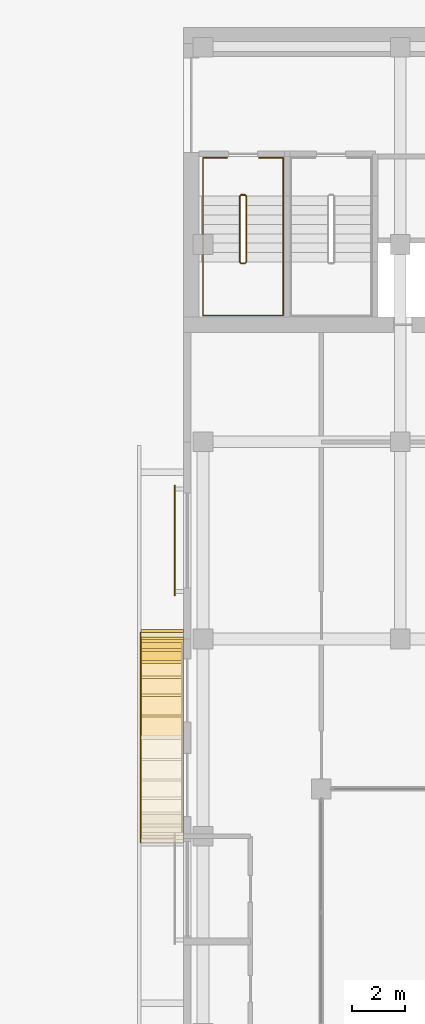
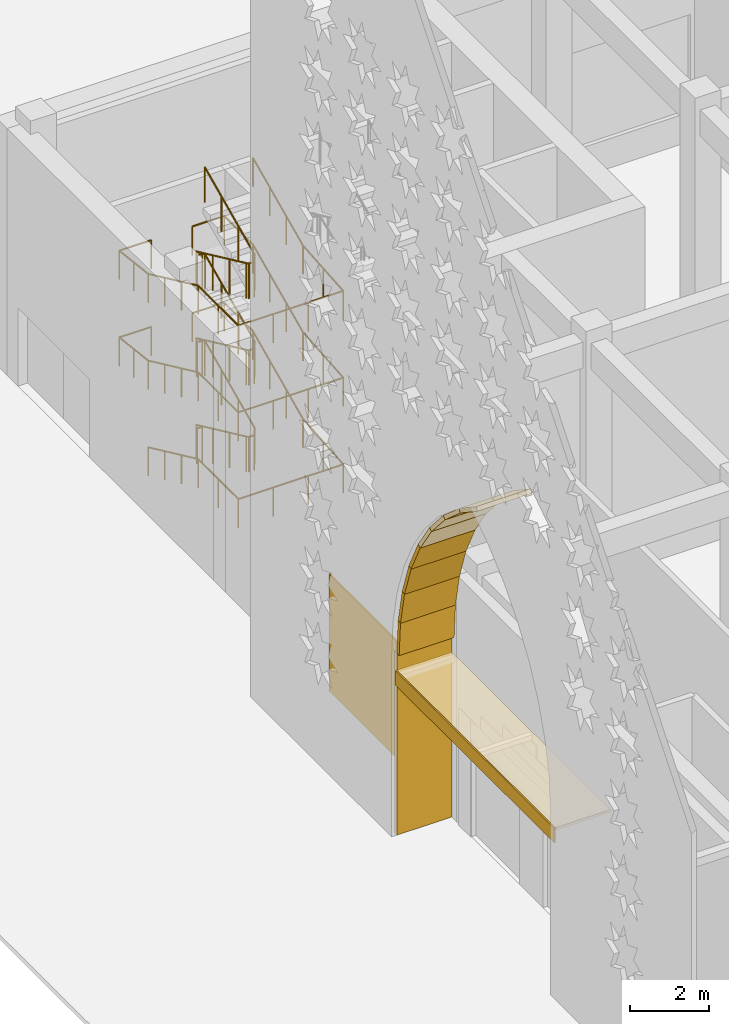
# One storey, part 56 of 64: 12 coverings, 4 railings.
"""IFC4 building model written with IfcOpenShell, lengths in metres."""

from ifc_helpers import new_model, si_unit, direction, frame, origin, origin_2d, place, context, subcontext, project, spatial, polyline, rectangle, circle, outline, extrude, material, layer, layer_set, type_object, element, save


model = new_model("IFC4")

# Units and contexts
model_context = context("Model", 3, precision=1e-05, world=origin(), true_north=direction((0.0, 1.0)))
body_context = subcontext(model_context, "Body", "Model", "MODEL_VIEW")
ifc_project = project(units=[si_unit("LENGTHUNIT", "METRE"), si_unit("AREAUNIT", "SQUARE_METRE"), si_unit("VOLUMEUNIT", "CUBIC_METRE"), si_unit("PLANEANGLEUNIT", "RADIAN"), si_unit("MASSUNIT", "GRAM", prefix="KILO")], contexts=[model_context])

# Site, building, storey
site_placement = place(None, origin())
site = spatial("IfcSite", under=ifc_project, at=site_placement, CompositionType="ELEMENT")
building_placement = place(site_placement, origin())
building = spatial("IfcBuilding", under=site, at=building_placement, Name="Tessera Arch", CompositionType="ELEMENT")
storey_placement = place(building_placement, origin())
storey = spatial("IfcBuildingStorey", under=building, at=storey_placement, Name="L00", CompositionType="ELEMENT", Elevation=0.0)

# Coverings
ifc_material_1 = material(Name="Aluminium cladding pale metal anodised", Category="aluminium")
ifc_layer_1 = layer(ifc_material_1, 0.0400390625)
ifc_layer_set_1 = layer_set([ifc_layer_1], Name="Canopy fascia pale metal")
covering_type_1 = type_object("IfcCoveringType", Name="Canopy fascia pale metal", PredefinedType="CLADDING", material=ifc_layer_set_1)
covering_1_placement = place(storey_placement, frame((-34.169921875, 31.949951171875, 4.6298828125), z_axis=(0.0, 0.0, 1.0), x_axis=(1.0, 0.0, 0.0)))
element("IfcCovering", 1, at=covering_1_placement, inside=storey, type_object=covering_type_1, Name="Museum entrance canopy fascia", PredefinedType="CLADDING", context=body_context, shape_type="SweptSolid", body=[
    extrude(rectangle(XDim=0.0400390625, YDim=8.0, at=origin_2d()), origin(), (0.0, 0.0, 1.0), 0.449951171875),
])
ifc_material_2 = material(Name="Aluminium cladding pale metal anodised", Category="aluminium")
ifc_layer_2 = layer(ifc_material_2, 0.080078125)
ifc_layer_set_2 = layer_set([ifc_layer_2], Name="Canopy panel pale metal")
covering_type_2 = type_object("IfcCoveringType", Name="Canopy panel pale metal", PredefinedType="CLADDING", material=ifc_layer_set_2)
covering_2_placement = place(storey_placement, frame((-33.35009765625, 31.949951171875, 5.0), z_axis=(0.0, 0.0, 1.0), x_axis=(1.0, 0.0, 0.0)))
element("IfcCovering", 2, at=covering_2_placement, inside=storey, type_object=covering_type_2, Name="Museum entrance canopy panel", PredefinedType="CLADDING", context=body_context, shape_type="SweptSolid", body=[
    extrude(rectangle(XDim=1.60009765625, YDim=8.0, at=origin_2d()), origin(), (0.0, 0.0, 1.0), 0.080078125),
])
ifc_material_3 = material(Name="Anodised aluminium pale metal", Category="aluminium")
ifc_layer_3 = layer(ifc_material_3, 0.1201171875)
ifc_layer_set_3 = layer_set([ifc_layer_3], Name="Museum iwan reveal plate")
covering_type_3 = type_object("IfcCoveringType", Name="Museum iwan reveal plate", PredefinedType="CLADDING", material=ifc_layer_set_3)
covering_3_placement = place(storey_placement, frame((-32.550048828125, 35.949951171875, 0.0), z_axis=(0.0, -1.0, 0.0), x_axis=(0.0, 0.0, 1.0)))
element("IfcCovering", 3, at=covering_3_placement, inside=storey, type_object=covering_type_3, Name="Museum entrance iwan reveal 1", PredefinedType="CLADDING", context=body_context, shape_type="SweptSolid", body=[
    extrude(outline(polyline([(0.0, 0.0), (5.60009765625, 0.0), (5.60009765625, 1.599853515625), (0.0, 1.599853515625), (0.0, 0.0)])), origin(), (0.0, 0.0, -1.0), 0.1201171875),
])
covering_4_placement = place(storey_placement, frame((-32.550048828125, 35.949951171875, 5.60009765625), z_axis=(0.0, 0.997863935765, 0.065326607906), x_axis=(0.0, -0.065326607906, 0.997863935765)))
element("IfcCovering", 4, at=covering_4_placement, inside=storey, type_object=covering_type_3, Name="Museum entrance iwan reveal 2", PredefinedType="CLADDING", context=body_context, shape_type="SweptSolid", body=[
    extrude(outline(polyline([(0.0, 0.0), (1.0464246834664583, 0.0), (1.0464246834664583, -1.599853515625), (0.0, -1.599853515625), (0.0, 0.0)])), origin(), (0.0, 0.0, -1.0), 0.1201171875),
])
covering_5_placement = place(storey_placement, frame((-32.550048828125, 35.881591796875, 6.644287109375), z_axis=(0.0, 0.980795438829, 0.19503924521), x_axis=(0.0, -0.19503924521, 0.980795438829)))
element("IfcCovering", 5, at=covering_5_placement, inside=storey, type_object=covering_type_3, Name="Museum entrance iwan reveal 3", PredefinedType="CLADDING", context=body_context, shape_type="SweptSolid", body=[
    extrude(outline(polyline([(0.0, 0.0), (1.0464640707600052, 0.0), (1.0464640707600052, -1.599853515625), (0.0, -1.599853515625), (0.0, 0.0)])), origin(), (0.0, 0.0, -1.0), 0.1201171875),
])
covering_6_placement = place(storey_placement, frame((-32.550048828125, 35.677490234375, 7.670654296875), z_axis=(0.0, 0.946919111012, 0.321471922881), x_axis=(0.0, -0.321471922881, 0.946919111012)))
element("IfcCovering", 6, at=covering_6_placement, inside=storey, type_object=covering_type_3, Name="Museum entrance iwan reveal 4", PredefinedType="CLADDING", context=body_context, shape_type="SweptSolid", body=[
    extrude(outline(polyline([(0.0, 0.0), (1.0465168411441694, 0.0), (1.0465168411441694, -1.599853515625), (0.0, -1.599853515625), (0.0, 0.0)])), origin(), (0.0, 0.0, -1.0), 0.1201171875),
])
covering_7_placement = place(storey_placement, frame((-32.550048828125, 35.341064453125, 8.66162109375), z_axis=(0.0, 0.896840441418, 0.442354182344), x_axis=(0.0, -0.442354182344, 0.896840441418)))
element("IfcCovering", 7, at=covering_7_placement, inside=storey, type_object=covering_type_3, Name="Museum entrance iwan reveal 5", PredefinedType="CLADDING", context=body_context, shape_type="SweptSolid", body=[
    extrude(outline(polyline([(0.0, 0.0), (1.046425338509493, 0.0), (1.046425338509493, -1.599853515625), (0.0, -1.599853515625), (0.0, 0.0)])), origin(), (0.0, 0.0, -1.0), 0.1201171875),
])
covering_8_placement = place(storey_placement, frame((-32.550048828125, 34.878173828125, 9.60009765625), z_axis=(0.0, 0.831511498164, 0.555507541282), x_axis=(0.0, -0.555507541282, 0.831511498164)))
element("IfcCovering", 8, at=covering_8_placement, inside=storey, type_object=covering_type_3, Name="Museum entrance iwan reveal 6", PredefinedType="CLADDING", context=body_context, shape_type="SweptSolid", body=[
    extrude(outline(polyline([(0.0, 0.0), (1.0464283289181389, 0.0), (1.0464283289181389, -1.599853515625), (0.0, -1.599853515625), (0.0, 0.0)])), origin(), (0.0, 0.0, -1.0), 0.1201171875),
])
covering_9_placement = place(storey_placement, frame((-32.550048828125, 34.296875, 10.47021484375), z_axis=(0.0, 0.751795639598, 0.659396175513), x_axis=(0.0, -0.659396175513, 0.751795639598)))
element("IfcCovering", 9, at=covering_9_placement, inside=storey, type_object=covering_type_3, Name="Museum entrance iwan reveal 7", PredefinedType="CLADDING", context=body_context, shape_type="SweptSolid", body=[
    extrude(outline(polyline([(0.0, 0.0), (1.0463230329065083, 0.0), (1.0463230329065083, -1.599853515625), (0.0, -1.599853515625), (0.0, 0.0)])), origin(), (0.0, 0.0, -1.0), 0.1201171875),
])
covering_10_placement = place(storey_placement, frame((-32.550048828125, 33.60693359375, 11.2568359375), z_axis=(0.0, 0.659280518064, 0.751897066427), x_axis=(0.0, -0.751897066427, 0.659280518064)))
element("IfcCovering", 10, at=covering_10_placement, inside=storey, type_object=covering_type_3, Name="Museum entrance iwan reveal 8", PredefinedType="CLADDING", context=body_context, shape_type="SweptSolid", body=[
    extrude(outline(polyline([(0.0, 0.0), (1.0465065891461225, 0.0), (1.0465065891461225, -1.599853515625), (0.0, -1.599853515625), (0.0, 0.0)])), origin(), (0.0, 0.0, -1.0), 0.1201171875),
])
covering_11_placement = place(storey_placement, frame((-32.550048828125, 32.820068359375, 11.94677734375), z_axis=(0.0, 0.555668822075, 0.831403728747), x_axis=(0.0, -0.831403728747, 0.555668822075)))
element("IfcCovering", 11, at=covering_11_placement, inside=storey, type_object=covering_type_3, Name="Museum entrance iwan reveal 9", PredefinedType="CLADDING", context=body_context, shape_type="SweptSolid", body=[
    extrude(outline(polyline([(0.0, 0.0), (1.0465639705653325, 0.0), (1.0465639705653325, -1.599853515625), (0.0, -1.599853515625), (0.0, 0.0)])), origin(), (0.0, 0.0, -1.0), 0.1201171875),
])
ifc_material_4 = material(Name="Anodised aluminium pale metal", Category="aluminium")
ifc_layer_4 = layer(ifc_material_4, 0.0400390625)
ifc_layer_set_4 = layer_set([ifc_layer_4], Name="Museum screen panel")
covering_type_4 = type_object("IfcCoveringType", Name="Museum screen panel", PredefinedType="CLADDING", material=ifc_layer_set_4)
covering_12_placement = place(storey_placement, frame((-32.8701171875, 39.449951171875, 0.599853515625), z_axis=(0.0, 0.0, 1.0), x_axis=(0.0, -1.0, 0.0)))
element("IfcCovering", 12, at=covering_12_placement, inside=storey, type_object=covering_type_4, Name="Screen panel museum L00 6-4", PredefinedType="CLADDING", context=body_context, shape_type="SweptSolid", body=[
    extrude(rectangle(XDim=4.199951171875, YDim=0.0400390625, at=origin_2d()), origin(), (0.0, 0.0, 1.0), 3.60009765625),
])

# Railings
ifc_material_5 = material(Name="Painted steel balustrade", Category="steel")
railing_type_1 = type_object("IfcRailingType", Name="Stair guard 1100", PredefinedType="GUARDRAIL", material=ifc_material_5)
railing_1_placement = place(storey_placement, frame((-30.35009765625, 52.60009765625, 0.0)))
element("IfcRailing", 13, at=railing_1_placement, inside=storey, type_object=railing_type_1, Name="L00 M1a stair guard 1", PredefinedType="GUARDRAIL", context=body_context, shape_type="SweptSolid", body=[
    extrude(circle(Radius=0.02392578125, at=origin_2d()), frame((-0.00390625, 0.0, 1.076171875), z_axis=(1.0, 0.0, 0.0), x_axis=(0.0, 1.0, 0.0)), (0.0, 0.0, 1.0), 0.158203125),
    extrude(circle(Radius=0.02392578125, at=origin_2d()), frame((0.153076171875, 0.000732421875, 1.073486328125), z_axis=(-0.754182335027, -0.188775798145, 0.628945707965), x_axis=(0.242814311512, -0.970072785993, 0.0)), (0.0, 0.0, 1.0), 0.273193359375),
    extrude(circle(Radius=0.02392578125, at=origin_2d()), frame((-0.0498046875, -0.04638671875, 1.2412109375), z_axis=(0.0, -0.907490492863, 0.420072619153), x_axis=(1.0, 0.0, 0.0)), (0.0, 0.0, 1.0), 2.784912109375),
    extrude(circle(Radius=0.02392578125, at=origin_2d()), frame((-0.052734375, -2.567138671875, 2.4091796875), z_axis=(0.705375805398, -0.708833529934, 0.0), x_axis=(0.708833529934, 0.705375805398, 0.0)), (0.0, 0.0, 1.0), 0.07861328125),
    extrude(circle(Radius=0.02392578125, at=origin_2d()), frame((-0.00390625, -2.6201171875, 2.4091796875), z_axis=(1.0, 0.0, 0.0), x_axis=(0.0, 1.0, 0.0)), (0.0, 0.0, 1.0), 0.158203125),
    extrude(circle(Radius=0.02392578125, at=origin_2d()), frame((0.14892578125, -2.621337890625, 2.405517578125), z_axis=(0.27628659633, 0.27628659633, 0.920506074601), x_axis=(-0.707106781187, 0.707106781187, 0.0)), (0.0, 0.0, 1.0), 0.189208984375),
    extrude(circle(Radius=0.02392578125, at=origin_2d()), frame((0.2001953125, -2.57373046875, 2.574462890625), z_axis=(0.0, 0.907456975791, 0.420145019115), x_axis=(-1.0, 0.0, 0.0)), (0.0, 0.0, 1.0), 2.784912109375),
    extrude(circle(Radius=0.02392578125, at=origin_2d()), frame((0.2041015625, -0.051025390625, 3.74267578125), z_axis=(-0.970142500145, 0.242535625036, 0.0), x_axis=(-0.242535625036, -0.970142500145, 0.0)), (0.0, 0.0, 1.0), 0.21435546875),
    extrude(circle(Radius=0.02392578125, at=origin_2d()), frame((-0.00390625, 0.0, 3.74267578125), z_axis=(1.0, 0.0, 0.0), x_axis=(0.0, 1.0, 0.0)), (0.0, 0.0, 1.0), 0.158203125),
    extrude(circle(Radius=0.02392578125, at=origin_2d()), frame((0.153076171875, 0.000732421875, 3.740234375), z_axis=(-0.754619193878, -0.188885146209, 0.628388632753), x_axis=(0.242814311512, -0.970072785993, 0.0)), (0.0, 0.0, 1.0), 0.27294921875),
    extrude(circle(Radius=0.02392578125, at=origin_2d()), frame((-0.0498046875, -0.04638671875, 3.90771484375), z_axis=(0.0, -0.907456975791, 0.420145019115), x_axis=(1.0, 0.0, 0.0)), (0.0, 0.0, 1.0), 2.784912109375),
    extrude(circle(Radius=0.02392578125, at=origin_2d()), frame((-0.052734375, -2.567138671875, 5.076171875), z_axis=(0.705375805398, -0.708833529934, 0.0), x_axis=(0.708833529934, 0.705375805398, 0.0)), (0.0, 0.0, 1.0), 0.07861328125),
    extrude(circle(Radius=0.02392578125, at=origin_2d()), frame((-0.00390625, -2.6201171875, 5.076171875), z_axis=(1.0, 0.0, 0.0), x_axis=(0.0, 1.0, 0.0)), (0.0, 0.0, 1.0), 0.158203125),
    extrude(circle(Radius=0.02392578125, at=origin_2d()), frame((0.14892578125, -2.621337890625, 5.072265625), z_axis=(0.27628659633, 0.27628659633, 0.920506074601), x_axis=(-0.707106781187, 0.707106781187, 0.0)), (0.0, 0.0, 1.0), 0.189208984375),
    extrude(circle(Radius=0.02392578125, at=origin_2d()), frame((0.2001953125, -2.57373046875, 5.2412109375), z_axis=(0.0, 0.907490492863, 0.420072619153), x_axis=(-1.0, 0.0, 0.0)), (0.0, 0.0, 1.0), 2.784912109375),
    extrude(circle(Radius=0.02392578125, at=origin_2d()), frame((0.2041015625, -0.051025390625, 6.4091796875), z_axis=(-0.970142500145, 0.242535625036, 0.0), x_axis=(-0.242535625036, -0.970142500145, 0.0)), (0.0, 0.0, 1.0), 0.21435546875),
    extrude(circle(Radius=0.02392578125, at=origin_2d()), frame((-0.00390625, 0.0, 6.4091796875), z_axis=(1.0, 0.0, 0.0), x_axis=(0.0, 1.0, 0.0)), (0.0, 0.0, 1.0), 0.158203125),
    extrude(circle(Radius=0.02392578125, at=origin_2d()), frame((0.153076171875, 0.000732421875, 6.40673828125), z_axis=(-0.754182335027, -0.188775798145, 0.628945707965), x_axis=(0.242814311512, -0.970072785993, 0.0)), (0.0, 0.0, 1.0), 0.273193359375),
    extrude(circle(Radius=0.02392578125, at=origin_2d()), frame((-0.0498046875, -0.04638671875, 6.574462890625), z_axis=(0.0, -0.907456975791, 0.420145019115), x_axis=(1.0, 0.0, 0.0)), (0.0, 0.0, 1.0), 2.784912109375),
    extrude(circle(Radius=0.02392578125, at=origin_2d()), frame((-0.052734375, -2.567138671875, 7.74267578125), z_axis=(0.705375805398, -0.708833529934, 0.0), x_axis=(0.708833529934, 0.705375805398, 0.0)), (0.0, 0.0, 1.0), 0.07861328125),
    extrude(circle(Radius=0.02392578125, at=origin_2d()), frame((-0.00390625, -2.6201171875, 7.74267578125), z_axis=(1.0, 0.0, 0.0), x_axis=(0.0, 1.0, 0.0)), (0.0, 0.0, 1.0), 0.158203125),
    extrude(circle(Radius=0.02392578125, at=origin_2d()), frame((0.14892578125, -2.621337890625, 7.739013671875), z_axis=(0.27662974545, 0.27662974545, 0.920299933644), x_axis=(-0.707106781187, 0.707106781187, 0.0)), (0.0, 0.0, 1.0), 0.18896484375),
    extrude(circle(Radius=0.02392578125, at=origin_2d()), frame((0.2001953125, -2.57373046875, 7.90771484375), z_axis=(0.0, 0.907456975791, 0.420145019115), x_axis=(-1.0, 0.0, 0.0)), (0.0, 0.0, 1.0), 2.784912109375),
    extrude(circle(Radius=0.02099609375, at=origin_2d()), origin(), (0.0, 0.0, 1.0), 1.06396484375),
    extrude(circle(Radius=0.02099609375, at=origin_2d()), frame((0.150146484375, 0.0, 0.0)), (0.0, 0.0, 1.0), 1.06396484375),
    extrude(circle(Radius=0.02099609375, at=origin_2d()), frame((-0.0498046875, -0.050048828125, 0.166748046875)), (0.0, 0.0, 1.0), 1.06396484375),
    extrude(circle(Radius=0.02099609375, at=origin_2d()), frame((-0.0498046875, -0.89013671875, 0.5556640625)), (0.0, 0.0, 1.0), 1.06396484375),
    extrude(circle(Radius=0.02099609375, at=origin_2d()), frame((-0.0498046875, -1.72998046875, 0.9443359375)), (0.0, 0.0, 1.0), 1.06396484375),
    extrude(circle(Radius=0.02099609375, at=origin_2d()), frame((-0.0498046875, -2.570068359375, 1.333251953125)), (0.0, 0.0, 1.0), 1.06396484375),
    extrude(circle(Radius=0.02099609375, at=origin_2d()), frame((0.0, -2.6201171875, 1.333251953125)), (0.0, 0.0, 1.0), 1.06396484375),
    extrude(circle(Radius=0.02099609375, at=origin_2d()), frame((0.150146484375, -2.6201171875, 1.333251953125)), (0.0, 0.0, 1.0), 1.06396484375),
    extrude(circle(Radius=0.02099609375, at=origin_2d()), frame((0.2001953125, -2.570068359375, 1.5)), (0.0, 0.0, 1.0), 1.06396484375),
    extrude(circle(Radius=0.02099609375, at=origin_2d()), frame((0.2001953125, -1.72998046875, 1.888916015625)), (0.0, 0.0, 1.0), 1.06396484375),
    extrude(circle(Radius=0.02099609375, at=origin_2d()), frame((0.2001953125, -0.89013671875, 2.27783203125)), (0.0, 0.0, 1.0), 1.06396484375),
    extrude(circle(Radius=0.02099609375, at=origin_2d()), frame((0.2001953125, -0.050048828125, 2.666748046875)), (0.0, 0.0, 1.0), 1.06396484375),
    extrude(circle(Radius=0.02099609375, at=origin_2d()), frame((0.0, 0.0, 2.666748046875)), (0.0, 0.0, 1.0), 1.06396484375),
    extrude(circle(Radius=0.02099609375, at=origin_2d()), frame((0.150146484375, 0.0, 2.666748046875)), (0.0, 0.0, 1.0), 1.06396484375),
    extrude(circle(Radius=0.02099609375, at=origin_2d()), frame((-0.0498046875, -0.050048828125, 2.833251953125)), (0.0, 0.0, 1.0), 1.06396484375),
    extrude(circle(Radius=0.02099609375, at=origin_2d()), frame((-0.0498046875, -0.89013671875, 3.22216796875)), (0.0, 0.0, 1.0), 1.06396484375),
    extrude(circle(Radius=0.02099609375, at=origin_2d()), frame((-0.0498046875, -1.72998046875, 3.611083984375)), (0.0, 0.0, 1.0), 1.06396484375),
    extrude(circle(Radius=0.02099609375, at=origin_2d()), frame((-0.0498046875, -2.570068359375, 4.0)), (0.0, 0.0, 1.0), 1.06396484375),
    extrude(circle(Radius=0.02099609375, at=origin_2d()), frame((0.0, -2.6201171875, 4.0)), (0.0, 0.0, 1.0), 1.06396484375),
    extrude(circle(Radius=0.02099609375, at=origin_2d()), frame((0.150146484375, -2.6201171875, 4.0)), (0.0, 0.0, 1.0), 1.06396484375),
    extrude(circle(Radius=0.02099609375, at=origin_2d()), frame((0.2001953125, -2.570068359375, 4.166748046875)), (0.0, 0.0, 1.0), 1.06396484375),
    extrude(circle(Radius=0.02099609375, at=origin_2d()), frame((0.2001953125, -1.72998046875, 4.5556640625)), (0.0, 0.0, 1.0), 1.06396484375),
    extrude(circle(Radius=0.02099609375, at=origin_2d()), frame((0.2001953125, -0.89013671875, 4.9443359375)), (0.0, 0.0, 1.0), 1.06396484375),
    extrude(circle(Radius=0.02099609375, at=origin_2d()), frame((0.2001953125, -0.050048828125, 5.333251953125)), (0.0, 0.0, 1.0), 1.06396484375),
    extrude(circle(Radius=0.02099609375, at=origin_2d()), frame((0.0, 0.0, 5.333251953125)), (0.0, 0.0, 1.0), 1.06396484375),
    extrude(circle(Radius=0.02099609375, at=origin_2d()), frame((0.150146484375, 0.0, 5.333251953125)), (0.0, 0.0, 1.0), 1.06396484375),
    extrude(circle(Radius=0.02099609375, at=origin_2d()), frame((-0.0498046875, -0.050048828125, 5.5)), (0.0, 0.0, 1.0), 1.06396484375),
    extrude(circle(Radius=0.02099609375, at=origin_2d()), frame((-0.0498046875, -0.89013671875, 5.888916015625)), (0.0, 0.0, 1.0), 1.06396484375),
    extrude(circle(Radius=0.02099609375, at=origin_2d()), frame((-0.0498046875, -1.72998046875, 6.27783203125)), (0.0, 0.0, 1.0), 1.06396484375),
    extrude(circle(Radius=0.02099609375, at=origin_2d()), frame((-0.0498046875, -2.570068359375, 6.666748046875)), (0.0, 0.0, 1.0), 1.06396484375),
    extrude(circle(Radius=0.02099609375, at=origin_2d()), frame((0.0, -2.6201171875, 6.666748046875)), (0.0, 0.0, 1.0), 1.06396484375),
    extrude(circle(Radius=0.02099609375, at=origin_2d()), frame((0.150146484375, -2.6201171875, 6.666748046875)), (0.0, 0.0, 1.0), 1.06396484375),
    extrude(circle(Radius=0.02099609375, at=origin_2d()), frame((0.2001953125, -2.570068359375, 6.833251953125)), (0.0, 0.0, 1.0), 1.06396484375),
    extrude(circle(Radius=0.02099609375, at=origin_2d()), frame((0.2001953125, -1.72998046875, 7.22216796875)), (0.0, 0.0, 1.0), 1.06396484375),
    extrude(circle(Radius=0.02099609375, at=origin_2d()), frame((0.2001953125, -0.89013671875, 7.611083984375)), (0.0, 0.0, 1.0), 1.06396484375),
    extrude(circle(Radius=0.02099609375, at=origin_2d()), frame((0.2001953125, -0.050048828125, 8.0)), (0.0, 0.0, 1.0), 1.06396484375),
])
ifc_material_6 = material(Name="Painted steel handrail", Category="steel")
railing_type_2 = type_object("IfcRailingType", Name="Stair handrail 900", PredefinedType="HANDRAIL", material=ifc_material_6)
railing_2_placement = place(storey_placement, frame((-31.800048828125, 52.550048828125, 0.166748046875)))
element("IfcRailing", 14, at=railing_2_placement, inside=storey, type_object=railing_type_2, Name="L00 M1a stair handrail", PredefinedType="HANDRAIL", context=body_context, shape_type="SweptSolid", body=[
    extrude(circle(Radius=0.02392578125, at=origin_2d()), frame((0.0, 0.003662109375, 0.874267578125), z_axis=(0.0, -0.907490492863, 0.420072619153), x_axis=(1.0, 0.0, 0.0)), (0.0, 0.0, 1.0), 2.784912109375),
    extrude(circle(Radius=0.02392578125, at=origin_2d()), frame((0.0, -2.51611328125, 2.04248046875), z_axis=(0.0, -1.0, 0.0), x_axis=(1.0, 0.0, 0.0)), (0.0, 0.0, 1.0), 2.0380859375),
    extrude(circle(Radius=0.02392578125, at=origin_2d()), frame((-0.00390625, -4.550048828125, 2.04248046875), z_axis=(1.0, 0.0, 0.0), x_axis=(0.0, 1.0, 0.0)), (0.0, 0.0, 1.0), 3.05810546875),
    extrude(circle(Radius=0.02392578125, at=origin_2d()), frame((3.050048828125, -4.553955078125, 2.0419921875), z_axis=(0.0, 0.996643427735, 0.081864998334), x_axis=(-1.0, 0.0, 0.0)), (0.0, 0.0, 1.0), 2.044921875),
    extrude(circle(Radius=0.02392578125, at=origin_2d()), frame((3.050048828125, -2.523681640625, 2.20751953125), z_axis=(0.0, 0.907456975791, 0.420145019115), x_axis=(-1.0, 0.0, 0.0)), (0.0, 0.0, 1.0), 2.784912109375),
    extrude(circle(Radius=0.02392578125, at=origin_2d()), frame((3.050048828125, -0.00390625, 3.3759765625), z_axis=(0.0, 1.0, 0.0), x_axis=(-1.0, 0.0, 0.0)), (0.0, 0.0, 1.0), 1.4580078125),
    extrude(circle(Radius=0.02392578125, at=origin_2d()), frame((3.053955078125, 1.449951171875, 3.3759765625), z_axis=(-1.0, 0.0, 0.0), x_axis=(0.0, -1.0, 0.0)), (0.0, 0.0, 1.0), 0.93310546875),
    extrude(circle(Radius=0.02099609375, at=origin_2d()), origin(), (0.0, 0.0, 1.0), 0.86376953125),
    extrude(circle(Radius=0.02099609375, at=origin_2d()), frame((0.0, -0.840087890625, 0.388916015625)), (0.0, 0.0, 1.0), 0.86376953125),
    extrude(circle(Radius=0.02099609375, at=origin_2d()), frame((0.0, -1.679931640625, 0.777587890625)), (0.0, 0.0, 1.0), 0.86376953125),
    extrude(circle(Radius=0.02099609375, at=origin_2d()), frame((0.0, -2.52001953125, 1.16650390625)), (0.0, 0.0, 1.0), 0.86376953125),
    extrude(circle(Radius=0.02099609375, at=origin_2d()), frame((0.0, -3.53515625, 1.16650390625)), (0.0, 0.0, 1.0), 0.86376953125),
    extrude(circle(Radius=0.02099609375, at=origin_2d()), frame((0.0, -4.550048828125, 1.16650390625)), (0.0, 0.0, 1.0), 0.86376953125),
    extrude(circle(Radius=0.02099609375, at=origin_2d()), frame((1.0166015625, -4.550048828125, 1.16650390625)), (0.0, 0.0, 1.0), 0.86376953125),
    extrude(circle(Radius=0.02099609375, at=origin_2d()), frame((2.033447265625, -4.550048828125, 1.16650390625)), (0.0, 0.0, 1.0), 0.86376953125),
    extrude(circle(Radius=0.02099609375, at=origin_2d()), frame((3.050048828125, -4.550048828125, 1.16650390625)), (0.0, 0.0, 1.0), 0.86376953125),
    extrude(circle(Radius=0.02099609375, at=origin_2d()), frame((3.050048828125, -3.53515625, 1.25)), (0.0, 0.0, 1.0), 0.86376953125),
    extrude(circle(Radius=0.02099609375, at=origin_2d()), frame((3.050048828125, -2.52001953125, 1.333251953125)), (0.0, 0.0, 1.0), 0.86376953125),
    extrude(circle(Radius=0.02099609375, at=origin_2d()), frame((3.050048828125, -1.679931640625, 1.72216796875)), (0.0, 0.0, 1.0), 0.86376953125),
    extrude(circle(Radius=0.02099609375, at=origin_2d()), frame((3.050048828125, -0.840087890625, 2.111083984375)), (0.0, 0.0, 1.0), 0.86376953125),
    extrude(circle(Radius=0.02099609375, at=origin_2d()), frame((3.050048828125, 0.0, 2.5)), (0.0, 0.0, 1.0), 0.86376953125),
    extrude(circle(Radius=0.02099609375, at=origin_2d()), frame((3.050048828125, 0.72509765625, 2.5)), (0.0, 0.0, 1.0), 0.86376953125),
    extrude(circle(Radius=0.02099609375, at=origin_2d()), frame((3.050048828125, 1.449951171875, 2.5)), (0.0, 0.0, 1.0), 0.86376953125),
    extrude(circle(Radius=0.02099609375, at=origin_2d()), frame((2.125, 1.449951171875, 2.5)), (0.0, 0.0, 1.0), 0.86376953125),
])
railing_3_placement = place(storey_placement, frame((-30.875, 54.0, 2.666748046875)))
element("IfcRailing", 15, at=railing_3_placement, inside=storey, type_object=railing_type_2, Name="L00 M1a stair handrail 2", PredefinedType="HANDRAIL", context=body_context, shape_type="SweptSolid", body=[
    extrude(circle(Radius=0.02392578125, at=origin_2d()), frame((0.00390625, 0.0, 0.8759765625), z_axis=(-1.0, 0.0, 0.0), x_axis=(0.0, -1.0, 0.0)), (0.0, 0.0, 1.0), 0.93310546875),
    extrude(circle(Radius=0.02392578125, at=origin_2d()), frame((-0.925048828125, 0.00390625, 0.87548828125), z_axis=(0.0, -0.993471061085, 0.114084402031), x_axis=(1.0, 0.0, 0.0)), (0.0, 0.0, 1.0), 1.467529296875),
    extrude(circle(Radius=0.02392578125, at=origin_2d()), frame((-0.925048828125, -1.4462890625, 1.040771484375), z_axis=(0.0, -0.907456975791, 0.420145019115), x_axis=(1.0, 0.0, 0.0)), (0.0, 0.0, 1.0), 2.784912109375),
    extrude(circle(Radius=0.02392578125, at=origin_2d()), frame((-0.925048828125, -3.966064453125, 2.208984375), z_axis=(0.0, -1.0, 0.0), x_axis=(1.0, 0.0, 0.0)), (0.0, 0.0, 1.0), 2.0380859375),
    extrude(circle(Radius=0.02392578125, at=origin_2d()), frame((-0.928955078125, -6.0, 2.208984375), z_axis=(1.0, 0.0, 0.0), x_axis=(0.0, 1.0, 0.0)), (0.0, 0.0, 1.0), 3.05810546875),
    extrude(circle(Radius=0.02392578125, at=origin_2d()), frame((2.125, -6.00390625, 2.208740234375), z_axis=(0.0, 0.996643427735, 0.081864998334), x_axis=(-1.0, 0.0, 0.0)), (0.0, 0.0, 1.0), 2.044921875),
    extrude(circle(Radius=0.02392578125, at=origin_2d()), frame((2.125, -3.9736328125, 2.374267578125), z_axis=(0.0, 0.907490492863, 0.420072619153), x_axis=(-1.0, 0.0, 0.0)), (0.0, 0.0, 1.0), 2.784912109375),
    extrude(circle(Radius=0.02392578125, at=origin_2d()), frame((2.125, -1.453857421875, 3.54248046875), z_axis=(0.0, 1.0, 0.0), x_axis=(-1.0, 0.0, 0.0)), (0.0, 0.0, 1.0), 1.4580078125),
    extrude(circle(Radius=0.02392578125, at=origin_2d()), frame((2.12890625, 0.0, 3.54248046875), z_axis=(-1.0, 0.0, 0.0), x_axis=(0.0, -1.0, 0.0)), (0.0, 0.0, 1.0), 0.93310546875),
    extrude(circle(Radius=0.02099609375, at=origin_2d()), origin(), (0.0, 0.0, 1.0), 0.86376953125),
    extrude(circle(Radius=0.02099609375, at=origin_2d()), frame((-0.925048828125, 0.0, 0.0)), (0.0, 0.0, 1.0), 0.86376953125),
    extrude(circle(Radius=0.02099609375, at=origin_2d()), frame((-0.925048828125, -0.72509765625, 0.083251953125)), (0.0, 0.0, 1.0), 0.86376953125),
    extrude(circle(Radius=0.02099609375, at=origin_2d()), frame((-0.925048828125, -1.449951171875, 0.16650390625)), (0.0, 0.0, 1.0), 0.86376953125),
    extrude(circle(Radius=0.02099609375, at=origin_2d()), frame((-0.925048828125, -2.2900390625, 0.555419921875)), (0.0, 0.0, 1.0), 0.86376953125),
    extrude(circle(Radius=0.02099609375, at=origin_2d()), frame((-0.925048828125, -3.1298828125, 0.9443359375)), (0.0, 0.0, 1.0), 0.86376953125),
    extrude(circle(Radius=0.02099609375, at=origin_2d()), frame((-0.925048828125, -3.969970703125, 1.333251953125)), (0.0, 0.0, 1.0), 0.86376953125),
    extrude(circle(Radius=0.02099609375, at=origin_2d()), frame((-0.925048828125, -4.98486328125, 1.333251953125)), (0.0, 0.0, 1.0), 0.86376953125),
    extrude(circle(Radius=0.02099609375, at=origin_2d()), frame((-0.925048828125, -6.0, 1.333251953125)), (0.0, 0.0, 1.0), 0.86376953125),
    extrude(circle(Radius=0.02099609375, at=origin_2d()), frame((0.091552734375, -6.0, 1.333251953125)), (0.0, 0.0, 1.0), 0.86376953125),
    extrude(circle(Radius=0.02099609375, at=origin_2d()), frame((1.1083984375, -6.0, 1.333251953125)), (0.0, 0.0, 1.0), 0.86376953125),
    extrude(circle(Radius=0.02099609375, at=origin_2d()), frame((2.125, -6.0, 1.333251953125)), (0.0, 0.0, 1.0), 0.86376953125),
    extrude(circle(Radius=0.02099609375, at=origin_2d()), frame((2.125, -4.98486328125, 1.41650390625)), (0.0, 0.0, 1.0), 0.86376953125),
    extrude(circle(Radius=0.02099609375, at=origin_2d()), frame((2.125, -3.969970703125, 1.5)), (0.0, 0.0, 1.0), 0.86376953125),
    extrude(circle(Radius=0.02099609375, at=origin_2d()), frame((2.125, -3.1298828125, 1.888916015625)), (0.0, 0.0, 1.0), 0.86376953125),
    extrude(circle(Radius=0.02099609375, at=origin_2d()), frame((2.125, -2.2900390625, 2.277587890625)), (0.0, 0.0, 1.0), 0.86376953125),
    extrude(circle(Radius=0.02099609375, at=origin_2d()), frame((2.125, -1.449951171875, 2.66650390625)), (0.0, 0.0, 1.0), 0.86376953125),
    extrude(circle(Radius=0.02099609375, at=origin_2d()), frame((2.125, -0.72509765625, 2.66650390625)), (0.0, 0.0, 1.0), 0.86376953125),
    extrude(circle(Radius=0.02099609375, at=origin_2d()), frame((2.125, 0.0, 2.66650390625)), (0.0, 0.0, 1.0), 0.86376953125),
    extrude(circle(Radius=0.02099609375, at=origin_2d()), frame((1.199951171875, 0.0, 2.66650390625)), (0.0, 0.0, 1.0), 0.86376953125),
])
railing_4_placement = place(storey_placement, frame((-30.875, 54.0, 5.333251953125)))
element("IfcRailing", 16, at=railing_4_placement, inside=storey, type_object=railing_type_2, Name="L00 M1a stair handrail 3", PredefinedType="HANDRAIL", context=body_context, shape_type="SweptSolid", body=[
    extrude(circle(Radius=0.02392578125, at=origin_2d()), frame((0.00390625, 0.0, 0.8759765625), z_axis=(-1.0, 0.0, 0.0), x_axis=(0.0, -1.0, 0.0)), (0.0, 0.0, 1.0), 0.93310546875),
    extrude(circle(Radius=0.02392578125, at=origin_2d()), frame((-0.925048828125, 0.00390625, 0.87548828125), z_axis=(0.0, -0.993452088381, 0.114249499304), x_axis=(1.0, 0.0, 0.0)), (0.0, 0.0, 1.0), 1.467529296875),
    extrude(circle(Radius=0.02392578125, at=origin_2d()), frame((-0.925048828125, -1.4462890625, 1.041015625), z_axis=(0.0, -0.907456975791, 0.420145019115), x_axis=(1.0, 0.0, 0.0)), (0.0, 0.0, 1.0), 2.784912109375),
    extrude(circle(Radius=0.02392578125, at=origin_2d()), frame((-0.925048828125, -3.966064453125, 2.20947265625), z_axis=(0.0, -1.0, 0.0), x_axis=(1.0, 0.0, 0.0)), (0.0, 0.0, 1.0), 2.0380859375),
    extrude(circle(Radius=0.02392578125, at=origin_2d()), frame((-0.928955078125, -6.0, 2.20947265625), z_axis=(1.0, 0.0, 0.0), x_axis=(0.0, 1.0, 0.0)), (0.0, 0.0, 1.0), 3.05810546875),
    extrude(circle(Radius=0.02392578125, at=origin_2d()), frame((2.125, -6.00390625, 2.208984375), z_axis=(0.0, 0.996653200197, 0.08174593897), x_axis=(-1.0, 0.0, 0.0)), (0.0, 0.0, 1.0), 2.044921875),
    extrude(circle(Radius=0.02392578125, at=origin_2d()), frame((2.125, -3.9736328125, 2.374267578125), z_axis=(0.0, 0.907456975791, 0.420145019115), x_axis=(-1.0, 0.0, 0.0)), (0.0, 0.0, 1.0), 2.784912109375),
    extrude(circle(Radius=0.02099609375, at=origin_2d()), origin(), (0.0, 0.0, 1.0), 0.86376953125),
    extrude(circle(Radius=0.02099609375, at=origin_2d()), frame((-0.925048828125, 0.0, 0.0)), (0.0, 0.0, 1.0), 0.86376953125),
    extrude(circle(Radius=0.02099609375, at=origin_2d()), frame((-0.925048828125, -0.72509765625, 0.08349609375)), (0.0, 0.0, 1.0), 0.86376953125),
    extrude(circle(Radius=0.02099609375, at=origin_2d()), frame((-0.925048828125, -1.449951171875, 0.166748046875)), (0.0, 0.0, 1.0), 0.86376953125),
    extrude(circle(Radius=0.02099609375, at=origin_2d()), frame((-0.925048828125, -2.2900390625, 0.5556640625)), (0.0, 0.0, 1.0), 0.86376953125),
    extrude(circle(Radius=0.02099609375, at=origin_2d()), frame((-0.925048828125, -3.1298828125, 0.944580078125)), (0.0, 0.0, 1.0), 0.86376953125),
    extrude(circle(Radius=0.02099609375, at=origin_2d()), frame((-0.925048828125, -3.969970703125, 1.33349609375)), (0.0, 0.0, 1.0), 0.86376953125),
    extrude(circle(Radius=0.02099609375, at=origin_2d()), frame((-0.925048828125, -4.98486328125, 1.33349609375)), (0.0, 0.0, 1.0), 0.86376953125),
    extrude(circle(Radius=0.02099609375, at=origin_2d()), frame((-0.925048828125, -6.0, 1.33349609375)), (0.0, 0.0, 1.0), 0.86376953125),
    extrude(circle(Radius=0.02099609375, at=origin_2d()), frame((0.091552734375, -6.0, 1.33349609375)), (0.0, 0.0, 1.0), 0.86376953125),
    extrude(circle(Radius=0.02099609375, at=origin_2d()), frame((1.1083984375, -6.0, 1.33349609375)), (0.0, 0.0, 1.0), 0.86376953125),
    extrude(circle(Radius=0.02099609375, at=origin_2d()), frame((2.125, -6.0, 1.33349609375)), (0.0, 0.0, 1.0), 0.86376953125),
    extrude(circle(Radius=0.02099609375, at=origin_2d()), frame((2.125, -4.98486328125, 1.416748046875)), (0.0, 0.0, 1.0), 0.86376953125),
    extrude(circle(Radius=0.02099609375, at=origin_2d()), frame((2.125, -3.969970703125, 1.5)), (0.0, 0.0, 1.0), 0.86376953125),
    extrude(circle(Radius=0.02099609375, at=origin_2d()), frame((2.125, -3.1298828125, 1.888916015625)), (0.0, 0.0, 1.0), 0.86376953125),
    extrude(circle(Radius=0.02099609375, at=origin_2d()), frame((2.125, -2.2900390625, 2.27783203125)), (0.0, 0.0, 1.0), 0.86376953125),
    extrude(circle(Radius=0.02099609375, at=origin_2d()), frame((2.125, -1.449951171875, 2.666748046875)), (0.0, 0.0, 1.0), 0.86376953125),
])

save(model, "model.ifc")
